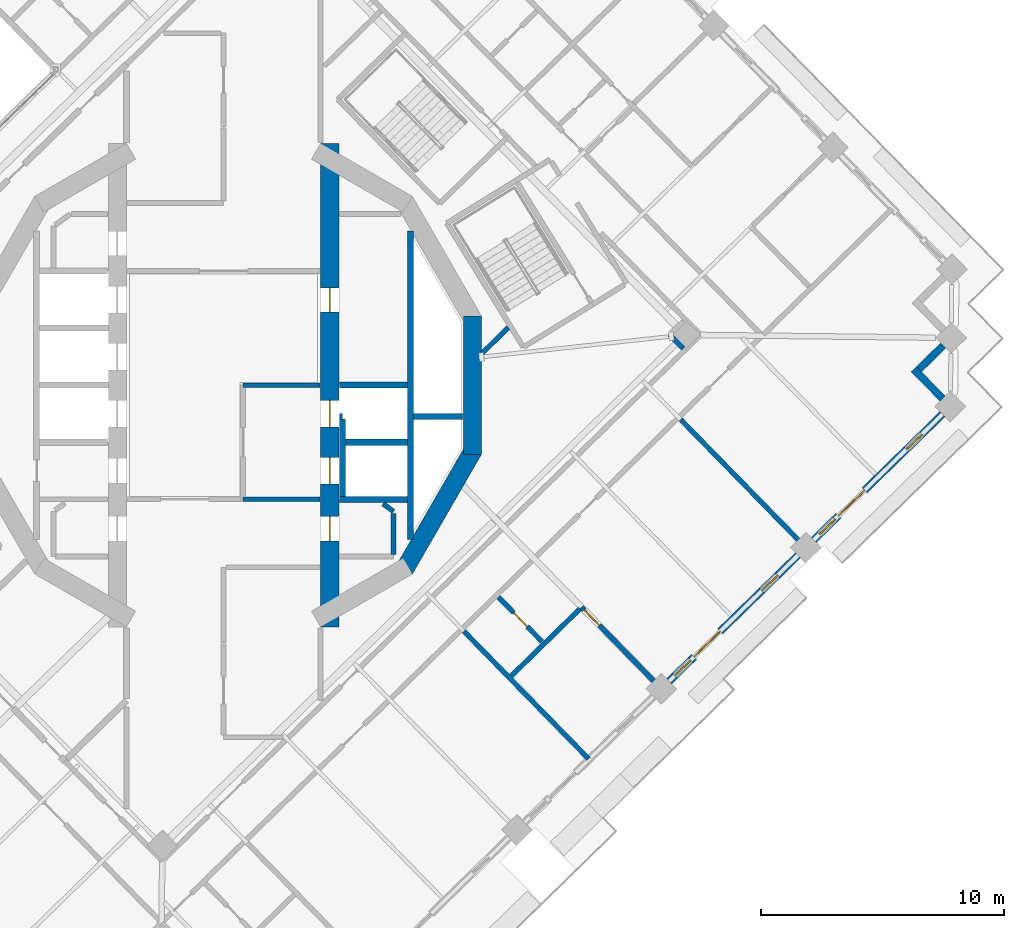
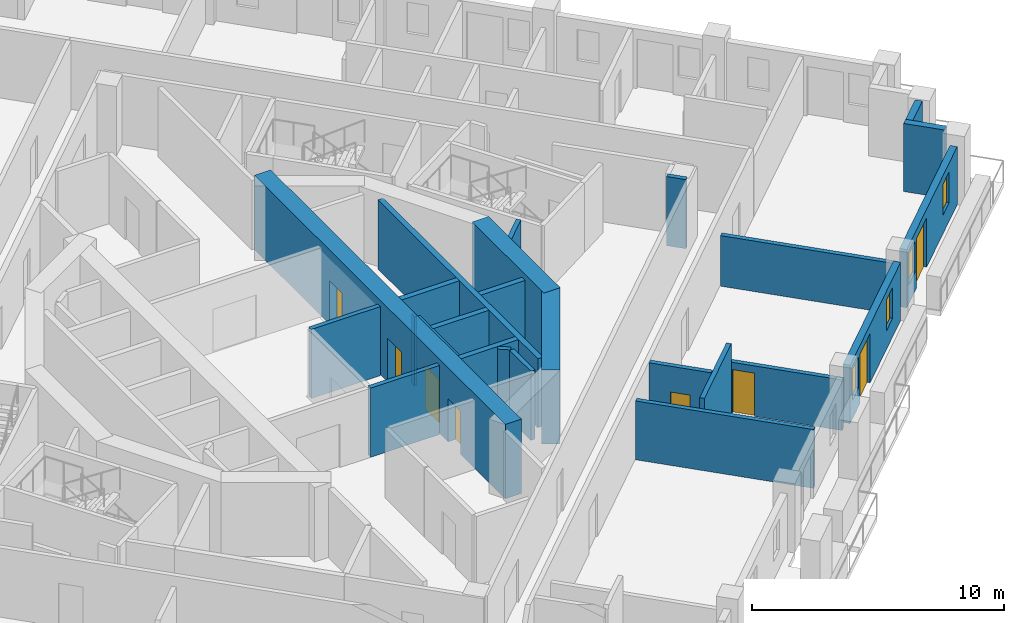
# One storey, part 10 of 21: 25 walls, 8 doors, 4 windows, 12 openings.
"""IFC4 building model written with IfcOpenShell, lengths in metres."""

from ifc_helpers import new_model, si_unit, direction, frame, frame_2d, origin, place, context, subcontext, project, spatial, rectangle, extrude, material, layer, layer_set, type_object, element, fill, save


model = new_model("IFC4")

# Units and contexts
model_context = context("Model", 3, precision=1e-05, world=origin(), true_north=direction((0.0, 1.0)))
body_context = subcontext(model_context, "Body", "Model", "MODEL_VIEW")
ifc_project = project(units=[si_unit("LENGTHUNIT", "METRE"), si_unit("AREAUNIT", "SQUARE_METRE"), si_unit("VOLUMEUNIT", "CUBIC_METRE"), si_unit("PLANEANGLEUNIT", "RADIAN"), si_unit("MASSUNIT", "GRAM", prefix="KILO")], contexts=[model_context])

# Site, building, storey
site_placement = place(None, origin())
site = spatial("IfcSite", under=ifc_project, at=site_placement, CompositionType="ELEMENT")
building_placement = place(site_placement, origin())
building = spatial("IfcBuilding", under=site, at=building_placement, Name="Cantera Rosa Tower", CompositionType="ELEMENT")
storey_placement = place(building_placement, frame((0.0, 0.0, 234.199951171875)))
storey = spatial("IfcBuildingStorey", under=building, at=storey_placement, Name="L51", CompositionType="ELEMENT", Elevation=234.199951171875)

# Walls
ifc_material_1 = material(Name="Hollow clay masonry with cantera stone cladding", Category="masonry")
ifc_layer_1 = layer(ifc_material_1, 0.300048828125)
ifc_layer_set_1 = layer_set([ifc_layer_1], Name="EW-LOGGIA 300")
wall_type_1 = type_object("IfcWallType", Name="EW-LOGGIA 300", PredefinedType="SOLIDWALL", material=ifc_layer_set_1)
wall_1_placement = place(storey_placement, frame((29.623291015625, -0.556884765625, 0.0), z_axis=(0.0, 0.0, 1.0), x_axis=(-0.69880105094, 0.715316077832, 0.0)))
element("IfcWall", 1, at=wall_1_placement, inside=storey, type_object=wall_type_1, Name="EN-L51-W26a", PredefinedType="SOLIDWALL", context=body_context, shape_type="SweptSolid", body=[
    extrude(rectangle(XDim=1.699951171875, YDim=0.300048828125, at=frame_2d((0.85009765625, 0.0))), origin(), (0.0, 0.0, 1.0), 3.300048828125),
])
wall_2_placement = place(storey_placement, frame((28.6474609375, 0.65673828125, 0.0), z_axis=(0.0, 0.0, 1.0), x_axis=(0.715341715727, 0.698774806172, 0.0)))
element("IfcWall", 2, at=wall_2_placement, inside=storey, type_object=wall_type_1, Name="EN-L51-W26b", PredefinedType="SOLIDWALL", context=body_context, shape_type="SweptSolid", body=[
    extrude(rectangle(XDim=1.39990234375, YDim=0.300048828125, at=frame_2d((0.699951171875, 0.0))), origin(), (0.0, 0.0, 1.0), 3.300048828125),
])

# Wall, openings, windows, door
ifc_material_2 = material(Name="Hollow clay masonry with cantera stone cladding", Category="masonry")
ifc_layer_2 = layer(ifc_material_2, 0.300048828125)
ifc_layer_set_2 = layer_set([ifc_layer_2], Name="EW-LOGGIA 300 H2820")
wall_type_2 = type_object("IfcWallType", Name="EW-LOGGIA 300 H2820", PredefinedType="SOLIDWALL", material=ifc_layer_set_2)
wall_3_placement = place(storey_placement, frame((18.357177734375, -12.19287109375, 0.0), z_axis=(0.0, 0.0, 1.0), x_axis=(0.715300826176, 0.698816662703, 0.0)))
wall_3 = element("IfcWall", 3, at=wall_3_placement, inside=storey, type_object=wall_type_2, Name="EN-L51-W24", PredefinedType="SOLIDWALL", context=body_context, shape_type="SweptSolid", body=[
    extrude(rectangle(XDim=7.420166015625, YDim=0.300048828125, at=frame_2d((3.7099609375, 0.0))), origin(), (0.0, 0.0, 1.0), 2.820068359375),
])
opening_1_placement = place(wall_3_placement, frame((0.330078125, 0.0, 0.89990234375)))
opening_1 = element("IfcOpeningElement", 4, at=opening_1_placement, cuts=wall_3, Name="Opening L51-W46", PredefinedType="OPENING", context=body_context, shape_type="SweptSolid", body=[
    extrude(rectangle(XDim=0.89990234375, YDim=1.5, at=frame_2d((0.449951171875, 0.75))), frame((0.0, 0.159912109375, 0.0), z_axis=(0.0, -1.0, 0.0), x_axis=(1.0, 0.0, 0.0)), (0.0, 0.0, 1.0), 0.320068359375),
])
opening_2_placement = place(wall_3_placement, frame((1.429931640625, 0.0, 0.0)))
opening_2 = element("IfcOpeningElement", 5, at=opening_2_placement, cuts=wall_3, Name="Opening L51-TD47", PredefinedType="OPENING", context=body_context, shape_type="SweptSolid", body=[
    extrude(rectangle(XDim=1.5, YDim=2.39990234375, at=frame_2d((0.75, 1.199951171875))), frame((0.0, 0.159912109375, 0.0), z_axis=(0.0, -1.0, 0.0), x_axis=(1.0, 0.0, 0.0)), (0.0, 0.0, 1.0), 0.320068359375),
])
opening_3_placement = place(wall_3_placement, frame((5.340087890625, 0.0, 0.89990234375)))
opening_3 = element("IfcOpeningElement", 6, at=opening_3_placement, cuts=wall_3, Name="Opening L51-W48", PredefinedType="OPENING", context=body_context, shape_type="SweptSolid", body=[
    extrude(rectangle(XDim=0.89990234375, YDim=1.5, at=frame_2d((0.449951171875, 0.75))), frame((0.0, 0.159912109375, 0.0), z_axis=(0.0, -1.0, 0.0), x_axis=(1.0, 0.0, 0.0)), (0.0, 0.0, 1.0), 0.320068359375),
])
ifc_material_3 = material(Name="Aluminium frame with clear glass", Category="aluminium")
window_type = type_object("IfcWindowType", Name="Residential window 900x1500", PartitioningType="SINGLE_PANEL", PredefinedType="WINDOW", material=ifc_material_3)
window_1_placement = place(opening_1_placement, origin())
window_1 = element("IfcWindow", 7, at=window_1_placement, inside=storey, type_object=window_type, Name="WINDOW L51-W46", OverallHeight=1.5, OverallWidth=0.89990234375, PartitioningType="SINGLE_PANEL", PredefinedType="WINDOW", context=body_context, shape_type="SweptSolid", body=[
    extrude(rectangle(XDim=0.89990234375, YDim=1.5, at=frame_2d((0.449951171875, 0.75))), frame((0.0, 0.030029296875, 0.0), z_axis=(0.0, -1.0, 0.0), x_axis=(1.0, 0.0, 0.0)), (0.0, 0.0, 1.0), 0.06005859375),
])
fill(opening_1, window_1)
window_2_placement = place(opening_3_placement, origin())
window_2 = element("IfcWindow", 8, at=window_2_placement, inside=storey, type_object=window_type, Name="WINDOW L51-W48", OverallHeight=1.5, OverallWidth=0.89990234375, PartitioningType="SINGLE_PANEL", PredefinedType="WINDOW", context=body_context, shape_type="SweptSolid", body=[
    extrude(rectangle(XDim=0.89990234375, YDim=1.5, at=frame_2d((0.449951171875, 0.75))), frame((0.0, 0.030029296875, 0.0), z_axis=(0.0, -1.0, 0.0), x_axis=(1.0, 0.0, 0.0)), (0.0, 0.0, 1.0), 0.06005859375),
])
fill(opening_3, window_2)
ifc_material_4 = material(Name="Aluminium frame with clear glass", Category="aluminium")
door_type_1 = type_object("IfcDoorType", Name="TD-R 1500x2400", OperationType="NOTDEFINED", PredefinedType="DOOR", material=ifc_material_4)
door_1_placement = place(opening_2_placement, origin())
door_1 = element("IfcDoor", 9, at=door_1_placement, inside=storey, type_object=door_type_1, Name="LOGGIA DOOR L51-TD47", OperationType="SLIDING_TO_LEFT", OverallHeight=2.39990234375, OverallWidth=1.5, PredefinedType="DOOR", context=body_context, shape_type="SweptSolid", body=[
    extrude(rectangle(XDim=1.5, YDim=2.39990234375, at=frame_2d((0.75, 1.199951171875))), frame((0.0, 0.02490234375, 0.0), z_axis=(0.0, -1.0, 0.0), x_axis=(1.0, 0.0, 0.0)), (0.0, 0.0, 1.0), 0.050048828125),
])
fill(opening_2, door_1)

wall_4_placement = place(storey_placement, frame((24.308349609375, -6.37841796875, 0.0), z_axis=(0.0, 0.0, 1.0), x_axis=(0.715300826176, 0.698816662703, 0.0)))
wall_4 = element("IfcWall", 10, at=wall_4_placement, inside=storey, type_object=wall_type_2, Name="EN-L51-W25", PredefinedType="SOLIDWALL", context=body_context, shape_type="SweptSolid", body=[
    extrude(rectangle(XDim=7.420166015625, YDim=0.300048828125, at=frame_2d((3.7099609375, 0.0))), origin(), (0.0, 0.0, 1.0), 2.820068359375),
])
opening_4_placement = place(wall_4_placement, frame((0.330078125, 0.0, 0.89990234375)))
opening_4 = element("IfcOpeningElement", 11, at=opening_4_placement, cuts=wall_4, Name="Opening L51-W49", PredefinedType="OPENING", context=body_context, shape_type="SweptSolid", body=[
    extrude(rectangle(XDim=0.89990234375, YDim=1.5, at=frame_2d((0.449951171875, 0.75))), frame((0.0, 0.159912109375, 0.0), z_axis=(0.0, -1.0, 0.0), x_axis=(1.0, 0.0, 0.0)), (0.0, 0.0, 1.0), 0.320068359375),
])
opening_5_placement = place(wall_4_placement, frame((1.429931640625, 0.0, 0.0)))
opening_5 = element("IfcOpeningElement", 12, at=opening_5_placement, cuts=wall_4, Name="Opening L51-TD50", PredefinedType="OPENING", context=body_context, shape_type="SweptSolid", body=[
    extrude(rectangle(XDim=1.5, YDim=2.39990234375, at=frame_2d((0.75, 1.199951171875))), frame((0.0, 0.159912109375, 0.0), z_axis=(0.0, -1.0, 0.0), x_axis=(1.0, 0.0, 0.0)), (0.0, 0.0, 1.0), 0.320068359375),
])
opening_6_placement = place(wall_4_placement, frame((5.340087890625, 0.0, 0.89990234375)))
opening_6 = element("IfcOpeningElement", 13, at=opening_6_placement, cuts=wall_4, Name="Opening L51-W51", PredefinedType="OPENING", context=body_context, shape_type="SweptSolid", body=[
    extrude(rectangle(XDim=0.89990234375, YDim=1.5, at=frame_2d((0.449951171875, 0.75))), frame((0.0, 0.159912109375, 0.0), z_axis=(0.0, -1.0, 0.0), x_axis=(1.0, 0.0, 0.0)), (0.0, 0.0, 1.0), 0.320068359375),
])
window_3_placement = place(opening_4_placement, origin())
window_3 = element("IfcWindow", 14, at=window_3_placement, inside=storey, type_object=window_type, Name="WINDOW L51-W49", OverallHeight=1.5, OverallWidth=0.89990234375, PartitioningType="SINGLE_PANEL", PredefinedType="WINDOW", context=body_context, shape_type="SweptSolid", body=[
    extrude(rectangle(XDim=0.89990234375, YDim=1.5, at=frame_2d((0.449951171875, 0.75))), frame((0.0, 0.030029296875, 0.0), z_axis=(0.0, -1.0, 0.0), x_axis=(1.0, 0.0, 0.0)), (0.0, 0.0, 1.0), 0.06005859375),
])
fill(opening_4, window_3)
window_4_placement = place(opening_6_placement, origin())
window_4 = element("IfcWindow", 15, at=window_4_placement, inside=storey, type_object=window_type, Name="WINDOW L51-W51", OverallHeight=1.5, OverallWidth=0.89990234375, PartitioningType="SINGLE_PANEL", PredefinedType="WINDOW", context=body_context, shape_type="SweptSolid", body=[
    extrude(rectangle(XDim=0.89990234375, YDim=1.5, at=frame_2d((0.449951171875, 0.75))), frame((0.0, 0.030029296875, 0.0), z_axis=(0.0, -1.0, 0.0), x_axis=(1.0, 0.0, 0.0)), (0.0, 0.0, 1.0), 0.06005859375),
])
fill(opening_6, window_4)
door_2_placement = place(opening_5_placement, origin())
door_2 = element("IfcDoor", 16, at=door_2_placement, inside=storey, type_object=door_type_1, Name="LOGGIA DOOR L51-TD50", OperationType="SLIDING_TO_LEFT", OverallHeight=2.39990234375, OverallWidth=1.5, PredefinedType="DOOR", context=body_context, shape_type="SweptSolid", body=[
    extrude(rectangle(XDim=1.5, YDim=2.39990234375, at=frame_2d((0.75, 1.199951171875))), frame((0.0, 0.02490234375, 0.0), z_axis=(0.0, -1.0, 0.0), x_axis=(1.0, 0.0, 0.0)), (0.0, 0.0, 1.0), 0.050048828125),
])
fill(opening_5, door_2)

# Wall, opening, door
ifc_material_5 = material(Name="Gypsum board partition")
ifc_layer_3 = layer(ifc_material_5, 0.199951171875)
ifc_layer_set_3 = layer_set([ifc_layer_3], Name="PARTITION 200 H2450")
wall_type_3 = type_object("IfcWallType", Name="PARTITION 200 H2450", PredefinedType="PARTITIONING", material=ifc_layer_set_3)
wall_5_placement = place(storey_placement, frame((14.7509765625, -9.1455078125, 0.0), z_axis=(0.0, 0.0, 1.0), x_axis=(0.698824761261, -0.71529291416, 0.0)))
wall_5 = element("IfcWall", 17, at=wall_5_placement, inside=storey, type_object=wall_type_3, Name="PARTITION L51-113", PredefinedType="PARTITIONING", context=body_context, shape_type="SweptSolid", body=[
    extrude(rectangle(XDim=4.669921875, YDim=0.199951171875, at=frame_2d((2.3349609375, 0.0))), origin(), (0.0, 0.0, 1.0), 2.449951171875),
])
opening_7_placement = place(wall_5_placement, frame((0.14990234375, 0.0, 0.0)))
opening_7 = element("IfcOpeningElement", 18, at=opening_7_placement, cuts=wall_5, Name="Opening L51-046", PredefinedType="OPENING", context=body_context, shape_type="SweptSolid", body=[
    extrude(rectangle(XDim=0.89990234375, YDim=2.10009765625, at=frame_2d((0.449951171875, 1.050048828125))), frame((0.0, 0.10986328125, 0.0), z_axis=(0.0, -1.0, 0.0), x_axis=(1.0, 0.0, 0.0)), (0.0, 0.0, 1.0), 0.219970703125),
])
ifc_material_6 = material(Name="Timber door leaf", Category="wood")
door_type_2 = type_object("IfcDoorType", Name="ROOM DOOR 900x2100", OperationType="NOTDEFINED", PredefinedType="DOOR", material=ifc_material_6)
door_3_placement = place(opening_7_placement, origin())
door_3 = element("IfcDoor", 19, at=door_3_placement, inside=storey, type_object=door_type_2, Name="DOOR L51-046", OperationType="NOTDEFINED", OverallHeight=2.10009765625, OverallWidth=0.89990234375, PredefinedType="DOOR", context=body_context, shape_type="SweptSolid", body=[
    extrude(rectangle(XDim=0.89990234375, YDim=2.10009765625, at=frame_2d((0.449951171875, 1.050048828125))), frame((0.0, 0.02490234375, 0.0), z_axis=(0.0, -1.0, 0.0), x_axis=(1.0, 0.0, 0.0)), (0.0, 0.0, 1.0), 0.050048828125),
])
fill(opening_7, door_3)

# Walls
ifc_material_7 = material(Name="Gypsum board partition")
ifc_layer_4 = layer(ifc_material_7, 0.199951171875)
ifc_layer_set_4 = layer_set([ifc_layer_4], Name="PARTITION 200 H3350")
wall_type_4 = type_object("IfcWallType", Name="PARTITION 200 H3350", PredefinedType="PARTITIONING", material=ifc_layer_set_4)
wall_6_placement = place(storey_placement, frame((6.572509765625, -4.888427734375, 0.0), z_axis=(0.0, 0.0, 1.0), x_axis=(0.808176867567, -0.588939853236, 0.0)))
element("IfcWall", 20, at=wall_6_placement, inside=storey, type_object=wall_type_4, Name="PARTITION L51-084", PredefinedType="PARTITIONING", context=body_context, shape_type="SweptSolid", body=[
    extrude(rectangle(XDim=0.529052734375, YDim=0.199951171875, at=frame_2d((0.2646484375, 0.0))), origin(), (0.0, 0.0, 1.0), 3.35009765625),
])
wall_7_placement = place(storey_placement, frame((7.0, -5.280029296875, 0.0), z_axis=(0.0, 0.0, 1.0), x_axis=(0.0, -1.0, 0.0)))
element("IfcWall", 21, at=wall_7_placement, inside=storey, type_object=wall_type_4, Name="PARTITION L51-087", PredefinedType="PARTITIONING", context=body_context, shape_type="SweptSolid", body=[
    extrude(rectangle(XDim=1.68994140625, YDim=0.199951171875, at=frame_2d((0.844970703125, 0.0))), origin(), (0.0, 0.0, 1.0), 3.35009765625),
])
wall_8_placement = place(storey_placement, frame((10.6552734375, 1.32275390625, 0.0), z_axis=(0.0, 0.0, 1.0), x_axis=(0.715227626276, 0.698891581443, 0.0)))
element("IfcWall", 22, at=wall_8_placement, inside=storey, type_object=wall_type_4, Name="PARTITION L51-098", PredefinedType="PARTITIONING", context=body_context, shape_type="SweptSolid", body=[
    extrude(rectangle(XDim=1.509521484375, YDim=0.199951171875, at=frame_2d((0.7548828125, 0.0))), origin(), (0.0, 0.0, 1.0), 3.35009765625),
])

# Wall, opening, door
wall_9_placement = place(storey_placement, frame((11.3330078125, -8.73779296875, 0.0), z_axis=(0.0, 0.0, 1.0), x_axis=(0.698809886965, -0.715307445705, 0.0)))
wall_9 = element("IfcWall", 23, at=wall_9_placement, inside=storey, type_object=wall_type_4, Name="PARTITION L51-100", PredefinedType="PARTITIONING", context=body_context, shape_type="SweptSolid", body=[
    extrude(rectangle(XDim=2.56005859375, YDim=0.199951171875, at=frame_2d((1.280029296875, 0.0))), origin(), (0.0, 0.0, 1.0), 3.35009765625),
])
opening_8_placement = place(wall_9_placement, frame((0.8798828125, 0.0, 0.0)))
opening_8 = element("IfcOpeningElement", 24, at=opening_8_placement, cuts=wall_9, Name="Opening L51-045", PredefinedType="OPENING", context=body_context, shape_type="SweptSolid", body=[
    extrude(rectangle(XDim=0.800048828125, YDim=2.10009765625, at=frame_2d((0.39990234375, 1.050048828125))), frame((0.0, 0.10986328125, 0.0), z_axis=(0.0, -1.0, 0.0), x_axis=(1.0, 0.0, 0.0)), (0.0, 0.0, 1.0), 0.219970703125),
])
ifc_material_8 = material(Name="Timber door leaf", Category="wood")
door_type_3 = type_object("IfcDoorType", Name="BATHROOM DOOR 800x2100", OperationType="NOTDEFINED", PredefinedType="DOOR", material=ifc_material_8)
door_4_placement = place(opening_8_placement, origin())
door_4 = element("IfcDoor", 25, at=door_4_placement, inside=storey, type_object=door_type_3, Name="DOOR L51-045", OperationType="NOTDEFINED", OverallHeight=2.10009765625, OverallWidth=0.800048828125, PredefinedType="DOOR", context=body_context, shape_type="SweptSolid", body=[
    extrude(rectangle(XDim=0.800048828125, YDim=2.10009765625, at=frame_2d((0.39990234375, 1.050048828125))), frame((0.0, 0.02490234375, 0.0), z_axis=(0.0, -1.0, 0.0), x_axis=(1.0, 0.0, 0.0)), (0.0, 0.0, 1.0), 0.050048828125),
])
fill(opening_8, door_4)

# Walls
wall_10_placement = place(storey_placement, frame((14.679443359375, -9.21533203125, 0.0), z_axis=(0.0, 0.0, 1.0), x_axis=(-0.715299823185, -0.698817689352, 0.0)))
element("IfcWall", 26, at=wall_10_placement, inside=storey, type_object=wall_type_4, Name="PARTITION L51-112", PredefinedType="PARTITIONING", context=body_context, shape_type="SweptSolid", body=[
    extrude(rectangle(XDim=3.940185546875, YDim=0.199951171875, at=frame_2d((1.97021484375, 0.0))), origin(), (0.0, 0.0, 1.0), 3.35009765625),
])
wall_11_placement = place(storey_placement, frame((18.375, 2.08447265625, 0.0), z_axis=(0.0, 0.0, 1.0), x_axis=(0.698819420598, -0.715298131827, 0.0)))
element("IfcWall", 27, at=wall_11_placement, inside=storey, type_object=wall_type_4, Name="PARTITION L51-117", PredefinedType="PARTITIONING", context=body_context, shape_type="SweptSolid", body=[
    extrude(rectangle(XDim=0.800048828125, YDim=0.199951171875, at=frame_2d((0.39990234375, 0.0))), origin(), (0.0, 0.0, 1.0), 3.35009765625),
])
ifc_material_9 = material(Name="Gypsum board partition")
ifc_layer_5 = layer(ifc_material_9, 0.199951171875)
ifc_layer_set_5 = layer_set([ifc_layer_5], Name="PARTY WALL 200 H2450")
wall_type_5 = type_object("IfcWallType", Name="PARTY WALL 200 H2450", PredefinedType="PARTITIONING", material=ifc_layer_set_5)
wall_12_placement = place(storey_placement, frame((18.8291015625, -1.414306640625, 0.0), z_axis=(0.0, 0.0, 1.0), x_axis=(0.698854556514, -0.71526380367, 0.0)))
element("IfcWall", 28, at=wall_12_placement, inside=storey, type_object=wall_type_5, Name="PARTY WALL L51-118", PredefinedType="PARTITIONING", context=body_context, shape_type="SweptSolid", body=[
    extrude(rectangle(XDim=7.349853515625, YDim=0.199951171875, at=frame_2d((3.6748046875, 0.0))), origin(), (0.0, 0.0, 1.0), 2.449951171875),
])
ifc_material_10 = material(Name="Gypsum board partition")
ifc_layer_6 = layer(ifc_material_10, 0.199951171875)
ifc_layer_set_6 = layer_set([ifc_layer_6], Name="PARTY WALL 200 H2850")
wall_type_6 = type_object("IfcWallType", Name="PARTY WALL 200 H2850", PredefinedType="PARTITIONING", material=ifc_layer_set_6)
wall_13_placement = place(storey_placement, frame((9.90234375, -10.135498046875, 0.0), z_axis=(0.0, 0.0, 1.0), x_axis=(0.698821349183, -0.715296247667, 0.0)))
element("IfcWall", 29, at=wall_13_placement, inside=storey, type_object=wall_type_6, Name="PARTY WALL L51-097", PredefinedType="PARTITIONING", context=body_context, shape_type="SweptSolid", body=[
    extrude(rectangle(XDim=7.35009765625, YDim=0.199951171875, at=frame_2d((3.675048828125, 0.0))), origin(), (0.0, 0.0, 1.0), 2.85009765625),
])
ifc_material_11 = material(Name="Concrete C60/75", Category="concrete")
ifc_layer_7 = layer(ifc_material_11, 0.75)
ifc_layer_set_7 = layer_set([ifc_layer_7], Name="RC CORE WALL 750 C60/75")
wall_type_7 = type_object("IfcWallType", Name="RC CORE WALL 750 C60/75", PredefinedType="SHEAR", material=ifc_layer_set_7)
wall_14_placement = place(storey_placement, frame((10.250244140625, 2.846923828125, 0.0), z_axis=(0.0, 0.0, 1.0), x_axis=(0.0, -1.0, 0.0)))
element("IfcWall", 30, at=wall_14_placement, inside=storey, type_object=wall_type_7, Name="CW-E3 L51", PredefinedType="SHEAR", context=body_context, shape_type="SweptSolid", body=[
    extrude(rectangle(XDim=5.69384765625, YDim=0.75, at=frame_2d((2.846923828125, 0.0))), origin(), (0.0, 0.0, 1.0), 3.60009765625),
])
wall_15_placement = place(storey_placement, frame((10.300537109375, -2.659423828125, 0.0), z_axis=(0.0, 0.0, 1.0), x_axis=(-0.500021842983, -0.866012792365, 0.0)))
element("IfcWall", 31, at=wall_15_placement, inside=storey, type_object=wall_type_7, Name="CW-E4 L51", PredefinedType="SHEAR", context=body_context, shape_type="SweptSolid", body=[
    extrude(rectangle(XDim=5.694091796875, YDim=0.75, at=frame_2d((2.84716796875, 0.0))), origin(), (0.0, 0.0, 1.0), 3.60009765625),
])

# Wall, openings, doors
wall_16_placement = place(storey_placement, frame((4.375, -9.95947265625, 0.0), z_axis=(0.0, 0.0, 1.0), x_axis=(0.0, 1.0, 0.0)))
wall_16 = element("IfcWall", 32, at=wall_16_placement, inside=storey, type_object=wall_type_7, Name="CW-E6 L51", PredefinedType="SHEAR", context=body_context, shape_type="SweptSolid", body=[
    extrude(rectangle(XDim=19.9189453125, YDim=0.75, at=frame_2d((9.95947265625, 0.0))), origin(), (0.0, 0.0, 1.0), 3.60009765625),
])
opening_9_placement = place(wall_16_placement, frame((5.884521484375, 0.0, 0.0)))
opening_9 = element("IfcOpeningElement", 33, at=opening_9_placement, cuts=wall_16, Name="Opening LD-FF1-L51", PredefinedType="OPENING", context=body_context, shape_type="SweptSolid", body=[
    extrude(rectangle(XDim=1.10009765625, YDim=2.10009765625, at=frame_2d((0.550048828125, 1.050048828125))), frame((0.0, 0.385009765625, 0.0), z_axis=(0.0, -1.0, 0.0), x_axis=(1.0, 0.0, 0.0)), (0.0, 0.0, 1.0), 0.77001953125),
])
opening_10_placement = place(wall_16_placement, frame((8.234619140625, 0.0, 0.0)))
opening_10 = element("IfcOpeningElement", 34, at=opening_10_placement, cuts=wall_16, Name="Opening LD-FF2-L51", PredefinedType="OPENING", context=body_context, shape_type="SweptSolid", body=[
    extrude(rectangle(XDim=1.10009765625, YDim=2.10009765625, at=frame_2d((0.550048828125, 1.050048828125))), frame((0.0, 0.385009765625, 0.0), z_axis=(0.0, -1.0, 0.0), x_axis=(1.0, 0.0, 0.0)), (0.0, 0.0, 1.0), 0.77001953125),
])
opening_11_placement = place(wall_16_placement, frame((3.55078125, 0.0, 0.0)))
opening_11 = element("IfcOpeningElement", 35, at=opening_11_placement, cuts=wall_16, Name="Opening SD-L51-23", PredefinedType="OPENING", context=body_context, shape_type="SweptSolid", body=[
    extrude(rectangle(XDim=1.0, YDim=2.10009765625, at=frame_2d((0.5, 1.050048828125))), frame((0.0, 0.385009765625, 0.0), z_axis=(0.0, -1.0, 0.0), x_axis=(1.0, 0.0, 0.0)), (0.0, 0.0, 1.0), 0.77001953125),
])
opening_12_placement = place(wall_16_placement, frame((12.9658203125, 0.0, 0.0)))
opening_12 = element("IfcOpeningElement", 36, at=opening_12_placement, cuts=wall_16, Name="Opening SD-L51-24", PredefinedType="OPENING", context=body_context, shape_type="SweptSolid", body=[
    extrude(rectangle(XDim=1.0, YDim=2.10009765625, at=frame_2d((0.5, 1.050048828125))), frame((0.0, 0.385009765625, 0.0), z_axis=(0.0, -1.0, 0.0), x_axis=(1.0, 0.0, 0.0)), (0.0, 0.0, 1.0), 0.77001953125),
])
ifc_material_12 = material(Name="Steel S355J2 (EN 10025-2)", Category="steel")
door_type_4 = type_object("IfcDoorType", Name="LANDING DOOR 1100x2100", OperationType="NOTDEFINED", PredefinedType="DOOR", material=ifc_material_12)
door_5_placement = place(opening_9_placement, origin())
door_5 = element("IfcDoor", 37, at=door_5_placement, inside=storey, type_object=door_type_4, Name="LANDING DOOR FF1 L51", OperationType="SLIDING_TO_LEFT", OverallHeight=2.10009765625, OverallWidth=1.10009765625, PredefinedType="DOOR", context=body_context, shape_type="SweptSolid", body=[
    extrude(rectangle(XDim=1.10009765625, YDim=2.10009765625, at=frame_2d((0.550048828125, 1.050048828125))), frame((0.0, 0.02490234375, 0.0), z_axis=(0.0, -1.0, 0.0), x_axis=(1.0, 0.0, 0.0)), (0.0, 0.0, 1.0), 0.050048828125),
])
fill(opening_9, door_5)
door_6_placement = place(opening_10_placement, origin())
door_6 = element("IfcDoor", 38, at=door_6_placement, inside=storey, type_object=door_type_4, Name="LANDING DOOR FF2 L51", OperationType="SLIDING_TO_LEFT", OverallHeight=2.10009765625, OverallWidth=1.10009765625, PredefinedType="DOOR", context=body_context, shape_type="SweptSolid", body=[
    extrude(rectangle(XDim=1.10009765625, YDim=2.10009765625, at=frame_2d((0.550048828125, 1.050048828125))), frame((0.0, 0.02490234375, 0.0), z_axis=(0.0, -1.0, 0.0), x_axis=(1.0, 0.0, 0.0)), (0.0, 0.0, 1.0), 0.050048828125),
])
fill(opening_10, door_6)
ifc_material_13 = material(Name="Timber door leaf", Category="wood")
door_type_5 = type_object("IfcDoorType", Name="SERVICE DOOR 1000x2100", OperationType="NOTDEFINED", PredefinedType="DOOR", material=ifc_material_13)
door_7_placement = place(opening_11_placement, origin())
door_7 = element("IfcDoor", 39, at=door_7_placement, inside=storey, type_object=door_type_5, Name="DOOR L51-SD23", OperationType="NOTDEFINED", OverallHeight=2.10009765625, OverallWidth=1.0, PredefinedType="DOOR", context=body_context, shape_type="SweptSolid", body=[
    extrude(rectangle(XDim=1.0, YDim=2.10009765625, at=frame_2d((0.5, 1.050048828125))), frame((0.0, 0.02490234375, 0.0), z_axis=(0.0, -1.0, 0.0), x_axis=(1.0, 0.0, 0.0)), (0.0, 0.0, 1.0), 0.050048828125),
])
fill(opening_11, door_7)
door_8_placement = place(opening_12_placement, origin())
door_8 = element("IfcDoor", 40, at=door_8_placement, inside=storey, type_object=door_type_5, Name="DOOR L51-SD24", OperationType="NOTDEFINED", OverallHeight=2.10009765625, OverallWidth=1.0, PredefinedType="DOOR", context=body_context, shape_type="SweptSolid", body=[
    extrude(rectangle(XDim=1.0, YDim=2.10009765625, at=frame_2d((0.5, 1.050048828125))), frame((0.0, 0.02490234375, 0.0), z_axis=(0.0, -1.0, 0.0), x_axis=(1.0, 0.0, 0.0)), (0.0, 0.0, 1.0), 0.050048828125),
])
fill(opening_12, door_8)

# Walls
ifc_material_14 = material(Name="Masonry blockwork", Category="masonry")
ifc_layer_8 = layer(ifc_material_14, 0.25)
ifc_layer_set_8 = layer_set([ifc_layer_8], Name="SHAFT WALL 250 H3350")
wall_type_8 = type_object("IfcWallType", Name="SHAFT WALL 250 H3350", PredefinedType="SOLIDWALL", material=ifc_layer_set_8)
wall_17_placement = place(storey_placement, frame((4.780029296875, -1.28271484375, 0.0), z_axis=(0.0, 0.0, 1.0), x_axis=(1.0, 0.0, 0.0)))
element("IfcWall", 41, at=wall_17_placement, inside=storey, type_object=wall_type_8, Name="SHAFT WALL L51-079", PredefinedType="SOLIDWALL", context=body_context, shape_type="SweptSolid", body=[
    extrude(rectangle(XDim=0.119873046875, YDim=0.25, at=frame_2d((0.06005859375, 0.0))), origin(), (0.0, 0.0, 1.0), 3.35009765625),
])
wall_18_placement = place(storey_placement, frame((4.89990234375, -1.402587890625, 0.0), z_axis=(0.0, 0.0, 1.0), x_axis=(0.0, -1.0, 0.0)))
element("IfcWall", 42, at=wall_18_placement, inside=storey, type_object=wall_type_8, Name="SHAFT WALL L51-081", PredefinedType="SOLIDWALL", context=body_context, shape_type="SweptSolid", body=[
    extrude(rectangle(XDim=3.17236328125, YDim=0.25, at=frame_2d((1.586181640625, 0.0))), origin(), (0.0, 0.0, 1.0), 3.35009765625),
])
wall_19_placement = place(storey_placement, frame((7.699951171875, -6.353515625, 0.0), z_axis=(0.0, 0.0, 1.0), x_axis=(0.0, 1.0, 0.0)))
element("IfcWall", 43, at=wall_19_placement, inside=storey, type_object=wall_type_8, Name="SHAFT WALL L51-089", PredefinedType="SOLIDWALL", context=body_context, shape_type="SweptSolid", body=[
    extrude(rectangle(XDim=12.70703125, YDim=0.25, at=frame_2d((6.353515625, 0.0))), origin(), (0.0, 0.0, 1.0), 3.35009765625),
])
wall_20_placement = place(storey_placement, frame((7.574951171875, -4.699951171875, 0.0), z_axis=(0.0, 0.0, 1.0), x_axis=(-1.0, 0.0, 0.0)))
element("IfcWall", 44, at=wall_20_placement, inside=storey, type_object=wall_type_8, Name="SHAFT WALL L51-090", PredefinedType="SOLIDWALL", context=body_context, shape_type="SweptSolid", body=[
    extrude(rectangle(XDim=2.794921875, YDim=0.25, at=frame_2d((1.3974609375, 0.0))), origin(), (0.0, 0.0, 1.0), 3.35009765625),
])
wall_21_placement = place(storey_placement, frame((7.574951171875, -2.35009765625, 0.0), z_axis=(0.0, 0.0, 1.0), x_axis=(-1.0, 0.0, 0.0)))
element("IfcWall", 45, at=wall_21_placement, inside=storey, type_object=wall_type_8, Name="SHAFT WALL L51-091", PredefinedType="SOLIDWALL", context=body_context, shape_type="SweptSolid", body=[
    extrude(rectangle(XDim=2.56005859375, YDim=0.25, at=frame_2d((1.280029296875, 0.0))), origin(), (0.0, 0.0, 1.0), 3.35009765625),
])
wall_22_placement = place(storey_placement, frame((7.824951171875, -1.28271484375, 0.0), z_axis=(0.0, 0.0, 1.0), x_axis=(1.0, 0.0, 0.0)))
element("IfcWall", 46, at=wall_22_placement, inside=storey, type_object=wall_type_8, Name="SHAFT WALL L51-092", PredefinedType="SOLIDWALL", context=body_context, shape_type="SweptSolid", body=[
    extrude(rectangle(XDim=2.020263671875, YDim=0.25, at=frame_2d((1.01025390625, 0.0))), origin(), (0.0, 0.0, 1.0), 3.35009765625),
])
wall_23_placement = place(storey_placement, frame((7.574951171875, 0.0, 0.0), z_axis=(0.0, 0.0, 1.0), x_axis=(-1.0, 0.0, 0.0)))
element("IfcWall", 47, at=wall_23_placement, inside=storey, type_object=wall_type_8, Name="SHAFT WALL L51-093", PredefinedType="SOLIDWALL", context=body_context, shape_type="SweptSolid", body=[
    extrude(rectangle(XDim=2.794921875, YDim=0.25, at=frame_2d((1.3974609375, 0.0))), origin(), (0.0, 0.0, 1.0), 3.35009765625),
])
ifc_material_15 = material(Name="Concrete C50/60", Category="concrete")
ifc_layer_9 = layer(ifc_material_15, 0.199951171875)
ifc_layer_set_9 = layer_set([ifc_layer_9], Name="STAIR WALL 200 H3350")
wall_type_9 = type_object("IfcWallType", Name="STAIR WALL 200 H3350", PredefinedType="SOLIDWALL", material=ifc_layer_set_9)
for number, where, z_axis, x_axis, name in (
    (48, (0.800048828125, 0.0, 0.0), (0.0, 0.0, 1.0), (1.0, 0.0, 0.0), "STAIR WALL L51-064"),
    (49, (3.969970703125, -4.699951171875, 0.0), (0.0, 0.0, 1.0), (-1.0, 0.0, 0.0), "STAIR WALL L51-075"),
):
    element("IfcWall", number, at=place(storey_placement, frame(where, z_axis=z_axis, x_axis=x_axis)), inside=storey, type_object=wall_type_9, Name=name, PredefinedType="SOLIDWALL", context=body_context, shape_type="SweptSolid", body=[
        extrude(rectangle(XDim=3.169921875, YDim=0.199951171875, at=frame_2d((1.5849609375, 0.0))), origin(), (0.0, 0.0, 1.0), 3.35009765625),
    ])

save(model, "model.ifc")
